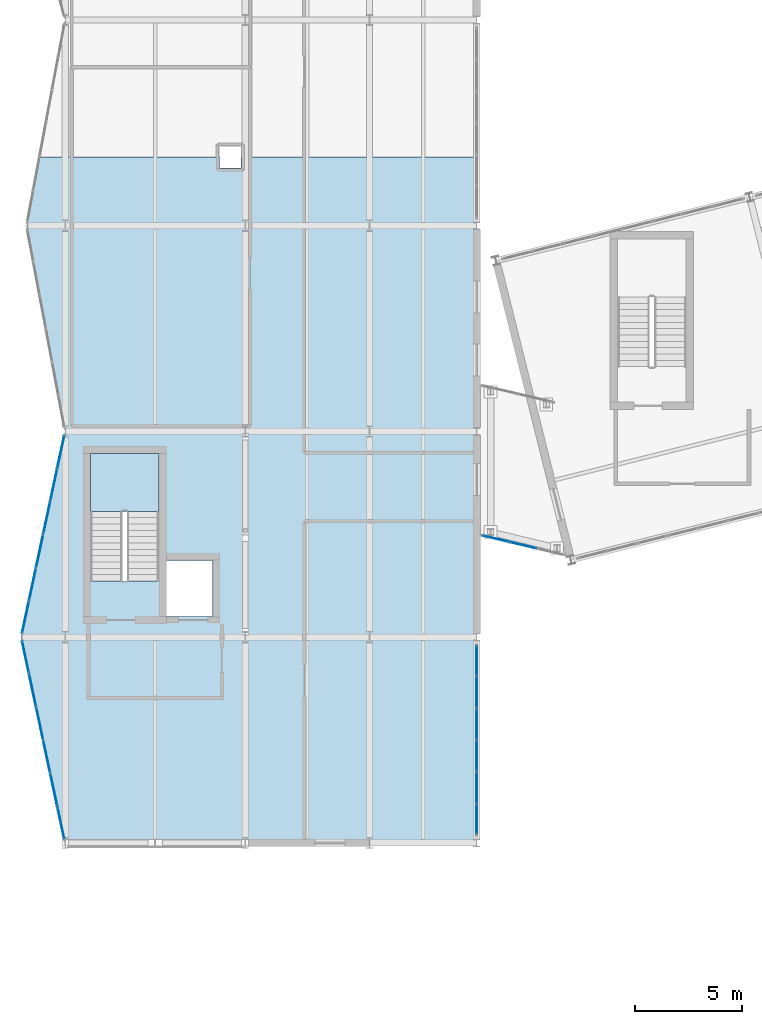
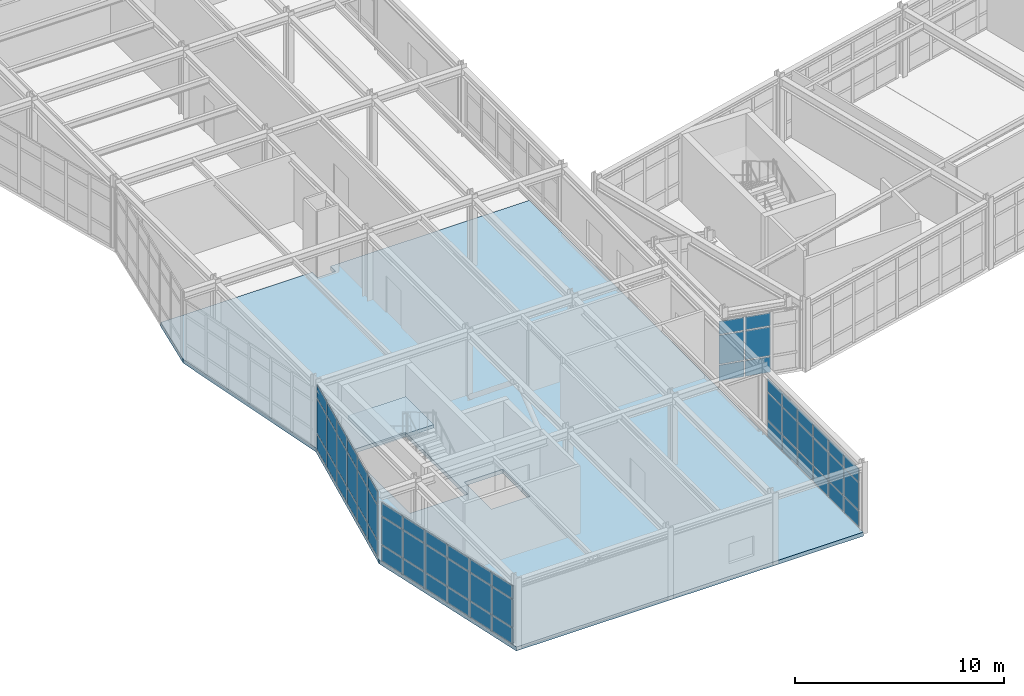
# One storey, part 44 of 76: 60 plates, 2 slabs, 5 elements without a shape of their own.
"""IFC4 building model written with IfcOpenShell, lengths in metres."""

import ifcopenshell
import ifcopenshell.guid

model = None  # the IFC model being written
_history = None  # IfcOwnerHistory: only IFC2X3 demands one
_inside = {}  # id of a spatial element -> (the spatial element, [elements in it])
_under = {}  # id of a project, library or spatial element -> (it, [spatial elements below it])
_declared = {}  # id of a project -> (the project, [libraries it declares])
_typed = {}  # id of a type object -> (the type object, [elements of that type])
_made_of = {}  # id of a material, layer set ... -> (it, [elements and type objects made of it])


def new_model(schema):
    """Start an empty IFC model of exactly this schema.

    Asked for "IFC4X3", IfcOpenShell would pick the latest addendum, in which some entities
    have other attributes; the version numbers below select the first issue.
    IFC2X3 requires an IfcOwnerHistory on every rooted entity: one is made here for all.
    """
    global model, _history
    if schema == "IFC4X3":
        model = ifcopenshell.file(schema_version=(4, 3, 0, 0))
    else:
        model = ifcopenshell.file(schema=schema)
    _inside.clear()
    _under.clear()
    _declared.clear()
    _typed.clear()
    _made_of.clear()
    _history = None
    if model.schema == "IFC2X3":
        org = make("IfcOrganization", Name="unknown")
        user = make(
            "IfcPersonAndOrganization",
            ThePerson=make("IfcPerson", FamilyName="unknown"),
            TheOrganization=org,
        )
        app = make(
            "IfcApplication",
            ApplicationDeveloper=org,
            Version="unknown",
            ApplicationFullName="unknown",
            ApplicationIdentifier="unknown",
        )
        _history = make(
            "IfcOwnerHistory",
            OwningUser=user,
            OwningApplication=app,
            ChangeAction="ADDED",
            CreationDate=0,
        )
    return model


def make(cls, **values):
    """One entity of the class cls with the attributes given. An attribute that is None is left unset."""
    return model.create_entity(
        cls, **{name: value for name, value in values.items() if value is not None}
    )


def rooted(cls, **values):
    """An entity with a GlobalId (a new one), such as an element, a storey or a relation."""
    return make(cls, GlobalId=ifcopenshell.guid.new(), OwnerHistory=_history, **values)


def si_unit(unit_type, name, prefix=None):
    """IfcSIUnit, for example si_unit("LENGTHUNIT", "METRE", prefix="MILLI")."""
    return make("IfcSIUnit", UnitType=unit_type, Prefix=prefix, Name=name)


def assignment(units):
    """IfcUnitAssignment: the units of a project."""
    return None if units is None else make("IfcUnitAssignment", Units=units)


def point(xyz):
    """IfcCartesianPoint."""
    return None if xyz is None else make("IfcCartesianPoint", Coordinates=xyz)


def direction(xyz):
    """IfcDirection."""
    return None if xyz is None else make("IfcDirection", DirectionRatios=xyz)


def frame(location, z_axis=None, x_axis=None):
    """IfcAxis2Placement3D, a coordinate frame: its origin and axes. An axis left out is left unset."""
    return make(
        "IfcAxis2Placement3D",
        Location=point(location),
        Axis=direction(z_axis),
        RefDirection=direction(x_axis),
    )


def frame_2d(location, x_axis=None):
    """IfcAxis2Placement2D, a coordinate frame in the plane: its origin and x axis."""
    return make(
        "IfcAxis2Placement2D", Location=point(location), RefDirection=direction(x_axis)
    )


def origin():
    """The frame at (0, 0, 0) with its axes left unset."""
    return frame((0.0, 0.0, 0.0))


def origin_2d():
    """The frame at (0, 0) in the plane with its x axis left unset."""
    return frame_2d((0.0, 0.0))


def place(relative_to, where):
    """IfcLocalPlacement: puts the frame where relative to a parent placement (None: the world)."""
    return make(
        "IfcLocalPlacement", PlacementRelTo=relative_to, RelativePlacement=where
    )


def context(
    kind, dimensions, precision=None, world=None, true_north=None, identifier=None
):
    """IfcGeometricRepresentationContext, for example the 3D "Model" context."""
    return make(
        "IfcGeometricRepresentationContext",
        ContextIdentifier=identifier,
        ContextType=kind,
        CoordinateSpaceDimension=dimensions,
        Precision=precision,
        WorldCoordinateSystem=world,
        TrueNorth=true_north,
    )


def subcontext(parent, identifier, kind, view, scale=None):
    """IfcGeometricRepresentationSubContext, for example "Body" below "Model"."""
    return make(
        "IfcGeometricRepresentationSubContext",
        ContextIdentifier=identifier,
        ContextType=kind,
        ParentContext=parent,
        TargetScale=scale,
        TargetView=view,
    )


def project(units=None, contexts=None):
    """IfcProject with its units and contexts."""
    return rooted(
        "IfcProject",
        Name="project",
        RepresentationContexts=contexts,
        UnitsInContext=assignment(units),
    )


def spatial(cls, under=None, at=None, **own):
    """A site, building, storey or space (cls), placed at a placement, below another one or the project."""
    s = rooted(cls, ObjectPlacement=at, **own)
    if under is not None:
        _under.setdefault(under.id(), (under, []))[1].append(s)
    return s


def polyline(points):
    """IfcPolyline through the points."""
    return make("IfcPolyline", Points=[point(p) for p in points])


def profile(cls, at=None, kind="AREA", **sizes):
    """A parametric profile (cls). Its sizes go by their IFC names, for example OverallWidth=200.0."""
    return make(cls, ProfileType=kind, Position=at, **sizes)


def rectangle(**sizes):
    """IfcRectangleProfileDef."""
    return profile("IfcRectangleProfileDef", **sizes)


def outline(outer, holes=None, kind="AREA"):
    """IfcArbitraryClosedProfileDef: a profile drawn as a closed curve; with holes, ...WithVoids."""
    if holes is None:
        return make("IfcArbitraryClosedProfileDef", ProfileType=kind, OuterCurve=outer)
    return make(
        "IfcArbitraryProfileDefWithVoids",
        ProfileType=kind,
        OuterCurve=outer,
        InnerCurves=holes,
    )


def extrude(swept, where, along, depth):
    """IfcExtrudedAreaSolid: the profile swept, set in the frame where, extruded along a direction by depth."""
    return make(
        "IfcExtrudedAreaSolid",
        SweptArea=swept,
        Position=where,
        ExtrudedDirection=direction(along),
        Depth=depth,
    )


def shape(context_of_items, identifier, shape_type, items):
    """IfcShapeRepresentation: the items that make up one representation, for example the "Body"."""
    return make(
        "IfcShapeRepresentation",
        ContextOfItems=context_of_items,
        RepresentationIdentifier=identifier,
        RepresentationType=shape_type,
        Items=items,
    )


def material(Name=None, Category=None):
    """IfcMaterial."""
    return make("IfcMaterial", Name=Name, Category=Category)


def layer(
    of_material, thickness, ventilated=None, Name=None, Category=None, Priority=None
):
    """IfcMaterialLayer: one layer of a wall or slab, of a material (None: an air gap)."""
    return make(
        "IfcMaterialLayer",
        Material=of_material,
        LayerThickness=thickness,
        IsVentilated=ventilated,
        Name=Name,
        Category=Category,
        Priority=Priority,
    )


def layer_set(layers, Name=None):
    """IfcMaterialLayerSet."""
    return make("IfcMaterialLayerSet", MaterialLayers=layers, LayerSetName=Name)


def made_of(thing, what):
    """Note that an element or type object is made of a material, layer set ...; save() writes the relation."""
    if what is not None:
        _made_of.setdefault(what.id(), (what, []))[1].append(thing)
    return thing


def type_object(cls, material=None, **own):
    """A type object (cls), such as IfcWallType, which elements share."""
    return made_of(rooted(cls, **own), material)


def element(
    cls,
    number,
    at=None,
    inside=None,
    cuts=None,
    type_object=None,
    material=None,
    context=None,
    identifier="Body",
    shape_type=None,
    held_by="IfcProductDefinitionShape",
    body=None,
    shapes=None,
    **own,
):
    """One element of the class cls, such as IfcWall. Its Tag is "e" and its number.

    at: its placement. inside: the storey or other place that contains it. cuts: it is an
    opening in that element (IfcRelVoidsElement). A single representation is given by context,
    identifier, shape_type and body (its items); several are given by shapes. held_by: the class
    of the entity that holds the representations. save() writes the other relations.
    """
    e = rooted(cls, Tag="e%d" % number, ObjectPlacement=at, **own)
    if body is not None:
        shapes = [shape(context, identifier, shape_type, body)]
    if shapes is not None:
        e.Representation = make(held_by, Representations=shapes)
    if inside is not None:
        _inside.setdefault(inside.id(), (inside, []))[1].append(e)
    if cuts is not None:
        rooted(
            "IfcRelVoidsElement", RelatingBuildingElement=cuts, RelatedOpeningElement=e
        )
    if type_object is not None:
        _typed.setdefault(type_object.id(), (type_object, []))[1].append(e)
    return made_of(e, material)


def aggregate(whole, parts):
    """IfcRelAggregates: a whole, such as a stair, and the parts it consists of."""
    return rooted("IfcRelAggregates", RelatingObject=whole, RelatedObjects=parts)


def save(model, path):
    """Write the relations noted so far, then the file.

    IfcRelAggregates (storeys below a building ...), IfcRelContainedInSpatialStructure (elements
    in a storey), IfcRelDefinesByType, IfcRelAssociatesMaterial and IfcRelDeclares: one each for
    every whole, place, type object, material and project.
    """
    for whole, parts in _under.values():
        aggregate(whole, parts)
    for where, things in _inside.values():
        rooted(
            "IfcRelContainedInSpatialStructure",
            RelatedElements=things,
            RelatingStructure=where,
        )
    for kind, things in _typed.values():
        rooted("IfcRelDefinesByType", RelatedObjects=things, RelatingType=kind)
    for what, things in _made_of.values():
        rooted("IfcRelAssociatesMaterial", RelatedObjects=things, RelatingMaterial=what)
    for by, libraries in _declared.values():
        rooted("IfcRelDeclares", RelatingContext=by, RelatedDefinitions=libraries)
    model.write(path)


model = new_model("IFC4")

# Units and contexts
model_context = context("Model", 3, precision=1e-05, world=origin(), true_north=direction((0.0, 1.0)))
body_context = subcontext(model_context, "Body", "Model", "MODEL_VIEW")
ifc_project = project(units=[si_unit("LENGTHUNIT", "METRE"), si_unit("AREAUNIT", "SQUARE_METRE"), si_unit("VOLUMEUNIT", "CUBIC_METRE"), si_unit("PLANEANGLEUNIT", "RADIAN"), si_unit("MASSUNIT", "GRAM", prefix="KILO")], contexts=[model_context])

# Site, building, storey
site_placement = place(None, origin())
site = spatial("IfcSite", under=ifc_project, at=site_placement, CompositionType="ELEMENT")
building_placement = place(site_placement, origin())
building = spatial("IfcBuilding", under=site, at=building_placement, Name="Nordkorset Police Headquarters", CompositionType="ELEMENT")
storey_placement = place(building_placement, frame((0.0, 0.0, 13.64990234375)))
storey = spatial("IfcBuildingStorey", under=building, at=storey_placement, Name="L03", CompositionType="ELEMENT", Elevation=13.64990234375)

# Curtain wall, plates
ifc_material_1 = material(Name="Aluminium alloy AW-6060", Category="aluminium")
ifc_layer_1 = layer(ifc_material_1, 0.179931640625, Name="Aluminium alloy AW-6060")
ifc_layer_set_1 = layer_set([ifc_layer_1], Name="Aluminium alloy AW-6060")
curtain_wall_type_1 = type_object("IfcCurtainWallType", Name="CW_Unit_954x352", PredefinedType="USERDEFINED", material=ifc_layer_set_1)
curtain_wall_1_placement = place(storey_placement, origin())
curtain_wall_1 = element("IfcCurtainWall", 1, at=curtain_wall_1_placement, inside=storey, type_object=curtain_wall_type_1, Name="Unitised Curtain Wall L03 V3W-0", ObjectType="UNITISED CURTAIN WALL", PredefinedType="USERDEFINED")
ifc_material_2 = material(Name="Low-iron triple glazing", Category="glass")
ifc_layer_2 = layer(ifc_material_2, 0.035888671875, Name="Low-iron triple glazing")
ifc_layer_set_2 = layer_set([ifc_layer_2], Name="Low-iron triple glazing")
plate_type = type_object("IfcPlateType", Name="CW_Panel_TripleGlazing_36", PredefinedType="CURTAIN_PANEL", material=ifc_layer_set_2)
plate_1_placement = place(storey_placement, frame((-0.198486328125, 29.72998046875, 0.06494140625), z_axis=(0.0, 0.0, 1.0), x_axis=(-0.208832534289, 0.977951416289, 0.0)))
plate_1 = element("IfcPlate", 2, at=plate_1_placement, type_object=plate_type, Name="CW-105 panel 1.1", PredefinedType="CURTAIN_PANEL", context=body_context, shape_type="SweptSolid", body=[
    extrude(rectangle(XDim=1.491943359375, YDim=0.035888671875, at=origin_2d()), origin(), (0.0, 0.0, 1.0), 0.902587890625),
])
plate_2_placement = place(storey_placement, frame((-0.198486328125, 29.72998046875, 1.03271484375), z_axis=(0.0, 0.0, 1.0), x_axis=(-0.208832534289, 0.977951416289, 0.0)))
plate_2 = element("IfcPlate", 3, at=plate_2_placement, type_object=plate_type, Name="CW-105 panel 1.2", PredefinedType="CURTAIN_PANEL", context=body_context, shape_type="SweptSolid", body=[
    extrude(rectangle(XDim=1.491943359375, YDim=0.035888671875, at=origin_2d()), origin(), (0.0, 0.0, 1.0), 1.60498046875),
])
plate_3_placement = place(storey_placement, frame((-0.198486328125, 29.72998046875, 2.70263671875), z_axis=(0.0, 0.0, 1.0), x_axis=(-0.208832534289, 0.977951416289, 0.0)))
plate_3 = element("IfcPlate", 4, at=plate_3_placement, type_object=plate_type, Name="CW-105 panel 1.3", PredefinedType="CURTAIN_PANEL", context=body_context, shape_type="SweptSolid", body=[
    extrude(rectangle(XDim=1.491943359375, YDim=0.035888671875, at=origin_2d()), origin(), (0.0, 0.0, 1.0), 0.75244140625),
])
plate_4_placement = place(storey_placement, frame((-0.527099609375, 31.2685546875, 0.06494140625), z_axis=(0.0, 0.0, 1.0), x_axis=(-0.208832534289, 0.977951416289, 0.0)))
plate_4 = element("IfcPlate", 5, at=plate_4_placement, type_object=plate_type, Name="CW-105 panel 2.1", PredefinedType="CURTAIN_PANEL", context=body_context, shape_type="SweptSolid", body=[
    extrude(rectangle(XDim=1.5244140625, YDim=0.035888671875, at=origin_2d()), origin(), (0.0, 0.0, 1.0), 0.902587890625),
])
plate_5_placement = place(storey_placement, frame((-0.527099609375, 31.2685546875, 1.03271484375), z_axis=(0.0, 0.0, 1.0), x_axis=(-0.208832534289, 0.977951416289, 0.0)))
plate_5 = element("IfcPlate", 6, at=plate_5_placement, type_object=plate_type, Name="CW-105 panel 2.2", PredefinedType="CURTAIN_PANEL", context=body_context, shape_type="SweptSolid", body=[
    extrude(rectangle(XDim=1.5244140625, YDim=0.035888671875, at=origin_2d()), origin(), (0.0, 0.0, 1.0), 1.60498046875),
])
plate_6_placement = place(storey_placement, frame((-0.527099609375, 31.2685546875, 2.70263671875), z_axis=(0.0, 0.0, 1.0), x_axis=(-0.208832534289, 0.977951416289, 0.0)))
plate_6 = element("IfcPlate", 7, at=plate_6_placement, type_object=plate_type, Name="CW-105 panel 2.3", PredefinedType="CURTAIN_PANEL", context=body_context, shape_type="SweptSolid", body=[
    extrude(rectangle(XDim=1.5244140625, YDim=0.035888671875, at=origin_2d()), origin(), (0.0, 0.0, 1.0), 0.75244140625),
])
plate_7_placement = place(storey_placement, frame((-0.859130859375, 32.82275390625, 0.06494140625), z_axis=(0.0, 0.0, 1.0), x_axis=(-0.208832534289, 0.977951416289, 0.0)))
plate_7 = element("IfcPlate", 8, at=plate_7_placement, type_object=plate_type, Name="CW-105 panel 3.1", PredefinedType="CURTAIN_PANEL", context=body_context, shape_type="SweptSolid", body=[
    extrude(rectangle(XDim=1.5244140625, YDim=0.035888671875, at=origin_2d()), origin(), (0.0, 0.0, 1.0), 0.902587890625),
])
plate_8_placement = place(storey_placement, frame((-0.859130859375, 32.82275390625, 1.03271484375), z_axis=(0.0, 0.0, 1.0), x_axis=(-0.208832534289, 0.977951416289, 0.0)))
plate_8 = element("IfcPlate", 9, at=plate_8_placement, type_object=plate_type, Name="CW-105 panel 3.2", PredefinedType="CURTAIN_PANEL", context=body_context, shape_type="SweptSolid", body=[
    extrude(rectangle(XDim=1.5244140625, YDim=0.035888671875, at=origin_2d()), origin(), (0.0, 0.0, 1.0), 1.60498046875),
])
plate_9_placement = place(storey_placement, frame((-0.859130859375, 32.82275390625, 2.70263671875), z_axis=(0.0, 0.0, 1.0), x_axis=(-0.208832534289, 0.977951416289, 0.0)))
plate_9 = element("IfcPlate", 10, at=plate_9_placement, type_object=plate_type, Name="CW-105 panel 3.3", PredefinedType="CURTAIN_PANEL", context=body_context, shape_type="SweptSolid", body=[
    extrude(rectangle(XDim=1.5244140625, YDim=0.035888671875, at=origin_2d()), origin(), (0.0, 0.0, 1.0), 0.75244140625),
])
plate_10_placement = place(storey_placement, frame((-1.19091796875, 34.377197265625, 0.06494140625), z_axis=(0.0, 0.0, 1.0), x_axis=(-0.208832534289, 0.977951416289, 0.0)))
plate_10 = element("IfcPlate", 11, at=plate_10_placement, type_object=plate_type, Name="CW-105 panel 4.1", PredefinedType="CURTAIN_PANEL", context=body_context, shape_type="SweptSolid", body=[
    extrude(rectangle(XDim=1.5244140625, YDim=0.035888671875, at=origin_2d()), origin(), (0.0, 0.0, 1.0), 0.902587890625),
])
plate_11_placement = place(storey_placement, frame((-1.19091796875, 34.377197265625, 1.03271484375), z_axis=(0.0, 0.0, 1.0), x_axis=(-0.208832534289, 0.977951416289, 0.0)))
plate_11 = element("IfcPlate", 12, at=plate_11_placement, type_object=plate_type, Name="CW-105 panel 4.2", PredefinedType="CURTAIN_PANEL", context=body_context, shape_type="SweptSolid", body=[
    extrude(rectangle(XDim=1.5244140625, YDim=0.035888671875, at=origin_2d()), origin(), (0.0, 0.0, 1.0), 1.60498046875),
])
plate_12_placement = place(storey_placement, frame((-1.19091796875, 34.377197265625, 2.70263671875), z_axis=(0.0, 0.0, 1.0), x_axis=(-0.208832534289, 0.977951416289, 0.0)))
plate_12 = element("IfcPlate", 13, at=plate_12_placement, type_object=plate_type, Name="CW-105 panel 4.3", PredefinedType="CURTAIN_PANEL", context=body_context, shape_type="SweptSolid", body=[
    extrude(rectangle(XDim=1.5244140625, YDim=0.035888671875, at=origin_2d()), origin(), (0.0, 0.0, 1.0), 0.75244140625),
])
plate_13_placement = place(storey_placement, frame((-1.52294921875, 35.931640625, 0.06494140625), z_axis=(0.0, 0.0, 1.0), x_axis=(-0.208832534289, 0.977951416289, 0.0)))
plate_13 = element("IfcPlate", 14, at=plate_13_placement, type_object=plate_type, Name="CW-105 panel 5.1", PredefinedType="CURTAIN_PANEL", context=body_context, shape_type="SweptSolid", body=[
    extrude(rectangle(XDim=1.5244140625, YDim=0.035888671875, at=origin_2d()), origin(), (0.0, 0.0, 1.0), 0.902587890625),
])
plate_14_placement = place(storey_placement, frame((-1.52294921875, 35.931640625, 1.03271484375), z_axis=(0.0, 0.0, 1.0), x_axis=(-0.208832534289, 0.977951416289, 0.0)))
plate_14 = element("IfcPlate", 15, at=plate_14_placement, type_object=plate_type, Name="CW-105 panel 5.2", PredefinedType="CURTAIN_PANEL", context=body_context, shape_type="SweptSolid", body=[
    extrude(rectangle(XDim=1.5244140625, YDim=0.035888671875, at=origin_2d()), origin(), (0.0, 0.0, 1.0), 1.60498046875),
])
plate_15_placement = place(storey_placement, frame((-1.52294921875, 35.931640625, 2.70263671875), z_axis=(0.0, 0.0, 1.0), x_axis=(-0.208832534289, 0.977951416289, 0.0)))
plate_15 = element("IfcPlate", 16, at=plate_15_placement, type_object=plate_type, Name="CW-105 panel 5.3", PredefinedType="CURTAIN_PANEL", context=body_context, shape_type="SweptSolid", body=[
    extrude(rectangle(XDim=1.5244140625, YDim=0.035888671875, at=origin_2d()), origin(), (0.0, 0.0, 1.0), 0.75244140625),
])
plate_16_placement = place(storey_placement, frame((-1.851318359375, 37.469970703125, 0.06494140625), z_axis=(0.0, 0.0, 1.0), x_axis=(-0.208832534289, 0.977951416289, 0.0)))
plate_16 = element("IfcPlate", 17, at=plate_16_placement, type_object=plate_type, Name="CW-105 panel 6.1", PredefinedType="CURTAIN_PANEL", context=body_context, shape_type="SweptSolid", body=[
    extrude(rectangle(XDim=1.491943359375, YDim=0.035888671875, at=origin_2d()), origin(), (0.0, 0.0, 1.0), 0.902587890625),
])
plate_17_placement = place(storey_placement, frame((-1.851318359375, 37.469970703125, 1.03271484375), z_axis=(0.0, 0.0, 1.0), x_axis=(-0.208832534289, 0.977951416289, 0.0)))
plate_17 = element("IfcPlate", 18, at=plate_17_placement, type_object=plate_type, Name="CW-105 panel 6.2", PredefinedType="CURTAIN_PANEL", context=body_context, shape_type="SweptSolid", body=[
    extrude(rectangle(XDim=1.491943359375, YDim=0.035888671875, at=origin_2d()), origin(), (0.0, 0.0, 1.0), 1.60498046875),
])
plate_18_placement = place(storey_placement, frame((-1.851318359375, 37.469970703125, 2.70263671875), z_axis=(0.0, 0.0, 1.0), x_axis=(-0.208832534289, 0.977951416289, 0.0)))
plate_18 = element("IfcPlate", 19, at=plate_18_placement, type_object=plate_type, Name="CW-105 panel 6.3", PredefinedType="CURTAIN_PANEL", context=body_context, shape_type="SweptSolid", body=[
    extrude(rectangle(XDim=1.491943359375, YDim=0.035888671875, at=origin_2d()), origin(), (0.0, 0.0, 1.0), 0.75244140625),
])
aggregate(curtain_wall_1, [plate_1, plate_2, plate_3, plate_4, plate_5, plate_6, plate_7, plate_8, plate_9, plate_10, plate_11, plate_12, plate_13, plate_14, plate_15, plate_16, plate_17, plate_18])

ifc_material_3 = material(Name="Aluminium alloy AW-6060", Category="aluminium")
ifc_layer_3 = layer(ifc_material_3, 0.179931640625, Name="Aluminium alloy AW-6060")
ifc_layer_set_3 = layer_set([ifc_layer_3], Name="Aluminium alloy AW-6060")
curtain_wall_type_2 = type_object("IfcCurtainWallType", Name="CW_Unit_888x350", PredefinedType="USERDEFINED", material=ifc_layer_set_3)
curtain_wall_2_placement = place(storey_placement, origin())
curtain_wall_2 = element("IfcCurtainWall", 20, at=curtain_wall_2_placement, inside=storey, type_object=curtain_wall_type_2, Name="Unitised Curtain Wall L03 V3E-0", ObjectType="UNITISED CURTAIN WALL", PredefinedType="USERDEFINED")
plate_19_placement = place(storey_placement, frame((19.199951171875, 29.916259765625, 0.06494140625), z_axis=(0.0, 0.0, 1.0), x_axis=(0.0, 1.0, 0.0)))
plate_19 = element("IfcPlate", 21, at=plate_19_placement, type_object=plate_type, Name="CW-95 panel 1.1", PredefinedType="CURTAIN_PANEL", context=body_context, shape_type="SweptSolid", body=[
    extrude(rectangle(XDim=1.382568359375, YDim=0.035888671875, at=origin_2d()), origin(), (0.0, 0.0, 1.0), 0.902587890625),
])
plate_20_placement = place(storey_placement, frame((19.199951171875, 29.916259765625, 1.03271484375), z_axis=(0.0, 0.0, 1.0), x_axis=(0.0, 1.0, 0.0)))
plate_20 = element("IfcPlate", 22, at=plate_20_placement, type_object=plate_type, Name="CW-95 panel 1.2", PredefinedType="CURTAIN_PANEL", context=body_context, shape_type="SweptSolid", body=[
    extrude(rectangle(XDim=1.382568359375, YDim=0.035888671875, at=origin_2d()), origin(), (0.0, 0.0, 1.0), 1.590087890625),
])
plate_21_placement = place(storey_placement, frame((19.199951171875, 29.916259765625, 2.687744140625), z_axis=(0.0, 0.0, 1.0), x_axis=(0.0, 1.0, 0.0)))
plate_21 = element("IfcPlate", 23, at=plate_21_placement, type_object=plate_type, Name="CW-95 panel 1.3", PredefinedType="CURTAIN_PANEL", context=body_context, shape_type="SweptSolid", body=[
    extrude(rectangle(XDim=1.382568359375, YDim=0.035888671875, at=origin_2d()), origin(), (0.0, 0.0, 1.0), 0.75244140625),
])
plate_22_placement = place(storey_placement, frame((19.199951171875, 31.3798828125, 0.06494140625), z_axis=(0.0, 0.0, 1.0), x_axis=(0.0, 1.0, 0.0)))
plate_22 = element("IfcPlate", 24, at=plate_22_placement, type_object=plate_type, Name="CW-95 panel 2.1", PredefinedType="CURTAIN_PANEL", context=body_context, shape_type="SweptSolid", body=[
    extrude(rectangle(XDim=1.4150390625, YDim=0.035888671875, at=origin_2d()), origin(), (0.0, 0.0, 1.0), 0.902587890625),
])
plate_23_placement = place(storey_placement, frame((19.199951171875, 31.3798828125, 1.03271484375), z_axis=(0.0, 0.0, 1.0), x_axis=(0.0, 1.0, 0.0)))
plate_23 = element("IfcPlate", 25, at=plate_23_placement, type_object=plate_type, Name="CW-95 panel 2.2", PredefinedType="CURTAIN_PANEL", context=body_context, shape_type="SweptSolid", body=[
    extrude(rectangle(XDim=1.4150390625, YDim=0.035888671875, at=origin_2d()), origin(), (0.0, 0.0, 1.0), 1.590087890625),
])
plate_24_placement = place(storey_placement, frame((19.199951171875, 31.3798828125, 2.687744140625), z_axis=(0.0, 0.0, 1.0), x_axis=(0.0, 1.0, 0.0)))
plate_24 = element("IfcPlate", 26, at=plate_24_placement, type_object=plate_type, Name="CW-95 panel 2.3", PredefinedType="CURTAIN_PANEL", context=body_context, shape_type="SweptSolid", body=[
    extrude(rectangle(XDim=1.4150390625, YDim=0.035888671875, at=origin_2d()), origin(), (0.0, 0.0, 1.0), 0.75244140625),
])
plate_25_placement = place(storey_placement, frame((19.199951171875, 32.860107421875, 0.06494140625), z_axis=(0.0, 0.0, 1.0), x_axis=(0.0, 1.0, 0.0)))
plate_25 = element("IfcPlate", 27, at=plate_25_placement, type_object=plate_type, Name="CW-95 panel 3.1", PredefinedType="CURTAIN_PANEL", context=body_context, shape_type="SweptSolid", body=[
    extrude(rectangle(XDim=1.4150390625, YDim=0.035888671875, at=origin_2d()), origin(), (0.0, 0.0, 1.0), 0.902587890625),
])
plate_26_placement = place(storey_placement, frame((19.199951171875, 32.860107421875, 1.03271484375), z_axis=(0.0, 0.0, 1.0), x_axis=(0.0, 1.0, 0.0)))
plate_26 = element("IfcPlate", 28, at=plate_26_placement, type_object=plate_type, Name="CW-95 panel 3.2", PredefinedType="CURTAIN_PANEL", context=body_context, shape_type="SweptSolid", body=[
    extrude(rectangle(XDim=1.4150390625, YDim=0.035888671875, at=origin_2d()), origin(), (0.0, 0.0, 1.0), 1.590087890625),
])
plate_27_placement = place(storey_placement, frame((19.199951171875, 32.860107421875, 2.687744140625), z_axis=(0.0, 0.0, 1.0), x_axis=(0.0, 1.0, 0.0)))
plate_27 = element("IfcPlate", 29, at=plate_27_placement, type_object=plate_type, Name="CW-95 panel 3.3", PredefinedType="CURTAIN_PANEL", context=body_context, shape_type="SweptSolid", body=[
    extrude(rectangle(XDim=1.4150390625, YDim=0.035888671875, at=origin_2d()), origin(), (0.0, 0.0, 1.0), 0.75244140625),
])
plate_28_placement = place(storey_placement, frame((19.199951171875, 34.340087890625, 0.06494140625), z_axis=(0.0, 0.0, 1.0), x_axis=(0.0, 1.0, 0.0)))
plate_28 = element("IfcPlate", 30, at=plate_28_placement, type_object=plate_type, Name="CW-95 panel 4.1", PredefinedType="CURTAIN_PANEL", context=body_context, shape_type="SweptSolid", body=[
    extrude(rectangle(XDim=1.4150390625, YDim=0.035888671875, at=origin_2d()), origin(), (0.0, 0.0, 1.0), 0.902587890625),
])
plate_29_placement = place(storey_placement, frame((19.199951171875, 34.340087890625, 1.03271484375), z_axis=(0.0, 0.0, 1.0), x_axis=(0.0, 1.0, 0.0)))
plate_29 = element("IfcPlate", 31, at=plate_29_placement, type_object=plate_type, Name="CW-95 panel 4.2", PredefinedType="CURTAIN_PANEL", context=body_context, shape_type="SweptSolid", body=[
    extrude(rectangle(XDim=1.4150390625, YDim=0.035888671875, at=origin_2d()), origin(), (0.0, 0.0, 1.0), 1.590087890625),
])
plate_30_placement = place(storey_placement, frame((19.199951171875, 34.340087890625, 2.687744140625), z_axis=(0.0, 0.0, 1.0), x_axis=(0.0, 1.0, 0.0)))
plate_30 = element("IfcPlate", 32, at=plate_30_placement, type_object=plate_type, Name="CW-95 panel 4.3", PredefinedType="CURTAIN_PANEL", context=body_context, shape_type="SweptSolid", body=[
    extrude(rectangle(XDim=1.4150390625, YDim=0.035888671875, at=origin_2d()), origin(), (0.0, 0.0, 1.0), 0.75244140625),
])
plate_31_placement = place(storey_placement, frame((19.199951171875, 35.820068359375, 0.06494140625), z_axis=(0.0, 0.0, 1.0), x_axis=(0.0, 1.0, 0.0)))
plate_31 = element("IfcPlate", 33, at=plate_31_placement, type_object=plate_type, Name="CW-95 panel 5.1", PredefinedType="CURTAIN_PANEL", context=body_context, shape_type="SweptSolid", body=[
    extrude(rectangle(XDim=1.4150390625, YDim=0.035888671875, at=origin_2d()), origin(), (0.0, 0.0, 1.0), 0.902587890625),
])
plate_32_placement = place(storey_placement, frame((19.199951171875, 35.820068359375, 1.03271484375), z_axis=(0.0, 0.0, 1.0), x_axis=(0.0, 1.0, 0.0)))
plate_32 = element("IfcPlate", 34, at=plate_32_placement, type_object=plate_type, Name="CW-95 panel 5.2", PredefinedType="CURTAIN_PANEL", context=body_context, shape_type="SweptSolid", body=[
    extrude(rectangle(XDim=1.4150390625, YDim=0.035888671875, at=origin_2d()), origin(), (0.0, 0.0, 1.0), 1.590087890625),
])
plate_33_placement = place(storey_placement, frame((19.199951171875, 35.820068359375, 2.687744140625), z_axis=(0.0, 0.0, 1.0), x_axis=(0.0, 1.0, 0.0)))
plate_33 = element("IfcPlate", 35, at=plate_33_placement, type_object=plate_type, Name="CW-95 panel 5.3", PredefinedType="CURTAIN_PANEL", context=body_context, shape_type="SweptSolid", body=[
    extrude(rectangle(XDim=1.4150390625, YDim=0.035888671875, at=origin_2d()), origin(), (0.0, 0.0, 1.0), 0.75244140625),
])
plate_34_placement = place(storey_placement, frame((19.199951171875, 37.28369140625, 0.06494140625), z_axis=(0.0, 0.0, 1.0), x_axis=(0.0, 1.0, 0.0)))
plate_34 = element("IfcPlate", 36, at=plate_34_placement, type_object=plate_type, Name="CW-95 panel 6.1", PredefinedType="CURTAIN_PANEL", context=body_context, shape_type="SweptSolid", body=[
    extrude(rectangle(XDim=1.382568359375, YDim=0.035888671875, at=origin_2d()), origin(), (0.0, 0.0, 1.0), 0.902587890625),
])
plate_35_placement = place(storey_placement, frame((19.199951171875, 37.28369140625, 1.03271484375), z_axis=(0.0, 0.0, 1.0), x_axis=(0.0, 1.0, 0.0)))
plate_35 = element("IfcPlate", 37, at=plate_35_placement, type_object=plate_type, Name="CW-95 panel 6.2", PredefinedType="CURTAIN_PANEL", context=body_context, shape_type="SweptSolid", body=[
    extrude(rectangle(XDim=1.382568359375, YDim=0.035888671875, at=origin_2d()), origin(), (0.0, 0.0, 1.0), 1.590087890625),
])
plate_36_placement = place(storey_placement, frame((19.199951171875, 37.28369140625, 2.687744140625), z_axis=(0.0, 0.0, 1.0), x_axis=(0.0, 1.0, 0.0)))
plate_36 = element("IfcPlate", 38, at=plate_36_placement, type_object=plate_type, Name="CW-95 panel 6.3", PredefinedType="CURTAIN_PANEL", context=body_context, shape_type="SweptSolid", body=[
    extrude(rectangle(XDim=1.382568359375, YDim=0.035888671875, at=origin_2d()), origin(), (0.0, 0.0, 1.0), 0.75244140625),
])
aggregate(curtain_wall_2, [plate_19, plate_20, plate_21, plate_22, plate_23, plate_24, plate_25, plate_26, plate_27, plate_28, plate_29, plate_30, plate_31, plate_32, plate_33, plate_34, plate_35, plate_36])

ifc_material_4 = material(Name="Aluminium alloy AW-6060", Category="aluminium")
ifc_layer_4 = layer(ifc_material_4, 0.179931640625, Name="Aluminium alloy AW-6060")
ifc_layer_set_4 = layer_set([ifc_layer_4], Name="Aluminium alloy AW-6060")
curtain_wall_type_3 = type_object("IfcCurtainWallType", Name="CW_Unit_954x392", PredefinedType="USERDEFINED", material=ifc_layer_set_4)
curtain_wall_3_placement = place(storey_placement, origin())
curtain_wall_3 = element("IfcCurtainWall", 39, at=curtain_wall_3_placement, inside=storey, type_object=curtain_wall_type_3, Name="Unitised Curtain Wall L03 V3W-1", ObjectType="UNITISED CURTAIN WALL", PredefinedType="USERDEFINED")
plate_37_placement = place(storey_placement, frame((-1.851318359375, 39.330078125, 0.06494140625), z_axis=(0.0, 0.0, 1.0), x_axis=(0.208832534289, 0.977951416289, 0.0)))
plate_37 = element("IfcPlate", 40, at=plate_37_placement, type_object=plate_type, Name="CW-20 panel 1.1", PredefinedType="CURTAIN_PANEL", context=body_context, shape_type="SweptSolid", body=[
    extrude(rectangle(XDim=1.491943359375, YDim=0.035888671875, at=origin_2d()), origin(), (0.0, 0.0, 1.0), 0.902587890625),
])
plate_38_placement = place(storey_placement, frame((-1.851318359375, 39.330078125, 1.03271484375), z_axis=(0.0, 0.0, 1.0), x_axis=(0.208832534289, 0.977951416289, 0.0)))
plate_38 = element("IfcPlate", 41, at=plate_38_placement, type_object=plate_type, Name="CW-20 panel 1.2", PredefinedType="CURTAIN_PANEL", context=body_context, shape_type="SweptSolid", body=[
    extrude(rectangle(XDim=1.491943359375, YDim=0.035888671875, at=origin_2d()), origin(), (0.0, 0.0, 1.0), 2.0048828125),
])
plate_39_placement = place(storey_placement, frame((-1.851318359375, 39.330078125, 3.1025390625), z_axis=(0.0, 0.0, 1.0), x_axis=(0.208832534289, 0.977951416289, 0.0)))
plate_39 = element("IfcPlate", 42, at=plate_39_placement, type_object=plate_type, Name="CW-20 panel 1.3", PredefinedType="CURTAIN_PANEL", context=body_context, shape_type="SweptSolid", body=[
    extrude(rectangle(XDim=1.491943359375, YDim=0.035888671875, at=origin_2d()), origin(), (0.0, 0.0, 1.0), 0.75244140625),
])
plate_40_placement = place(storey_placement, frame((-1.52294921875, 40.868408203125, 0.06494140625), z_axis=(0.0, 0.0, 1.0), x_axis=(0.208832534289, 0.977951416289, 0.0)))
plate_40 = element("IfcPlate", 43, at=plate_40_placement, type_object=plate_type, Name="CW-20 panel 2.1", PredefinedType="CURTAIN_PANEL", context=body_context, shape_type="SweptSolid", body=[
    extrude(rectangle(XDim=1.5244140625, YDim=0.035888671875, at=origin_2d()), origin(), (0.0, 0.0, 1.0), 0.902587890625),
])
plate_41_placement = place(storey_placement, frame((-1.52294921875, 40.868408203125, 1.03271484375), z_axis=(0.0, 0.0, 1.0), x_axis=(0.208832534289, 0.977951416289, 0.0)))
plate_41 = element("IfcPlate", 44, at=plate_41_placement, type_object=plate_type, Name="CW-20 panel 2.2", PredefinedType="CURTAIN_PANEL", context=body_context, shape_type="SweptSolid", body=[
    extrude(rectangle(XDim=1.5244140625, YDim=0.035888671875, at=origin_2d()), origin(), (0.0, 0.0, 1.0), 2.0048828125),
])
plate_42_placement = place(storey_placement, frame((-1.52294921875, 40.868408203125, 3.1025390625), z_axis=(0.0, 0.0, 1.0), x_axis=(0.208832534289, 0.977951416289, 0.0)))
plate_42 = element("IfcPlate", 45, at=plate_42_placement, type_object=plate_type, Name="CW-20 panel 2.3", PredefinedType="CURTAIN_PANEL", context=body_context, shape_type="SweptSolid", body=[
    extrude(rectangle(XDim=1.5244140625, YDim=0.035888671875, at=origin_2d()), origin(), (0.0, 0.0, 1.0), 0.75244140625),
])
plate_43_placement = place(storey_placement, frame((-1.19091796875, 42.4228515625, 0.06494140625), z_axis=(0.0, 0.0, 1.0), x_axis=(0.208832534289, 0.977951416289, 0.0)))
plate_43 = element("IfcPlate", 46, at=plate_43_placement, type_object=plate_type, Name="CW-20 panel 3.1", PredefinedType="CURTAIN_PANEL", context=body_context, shape_type="SweptSolid", body=[
    extrude(rectangle(XDim=1.5244140625, YDim=0.035888671875, at=origin_2d()), origin(), (0.0, 0.0, 1.0), 0.902587890625),
])
plate_44_placement = place(storey_placement, frame((-1.19091796875, 42.4228515625, 1.03271484375), z_axis=(0.0, 0.0, 1.0), x_axis=(0.208832534289, 0.977951416289, 0.0)))
plate_44 = element("IfcPlate", 47, at=plate_44_placement, type_object=plate_type, Name="CW-20 panel 3.2", PredefinedType="CURTAIN_PANEL", context=body_context, shape_type="SweptSolid", body=[
    extrude(rectangle(XDim=1.5244140625, YDim=0.035888671875, at=origin_2d()), origin(), (0.0, 0.0, 1.0), 2.0048828125),
])
plate_45_placement = place(storey_placement, frame((-1.19091796875, 42.4228515625, 3.1025390625), z_axis=(0.0, 0.0, 1.0), x_axis=(0.208832534289, 0.977951416289, 0.0)))
plate_45 = element("IfcPlate", 48, at=plate_45_placement, type_object=plate_type, Name="CW-20 panel 3.3", PredefinedType="CURTAIN_PANEL", context=body_context, shape_type="SweptSolid", body=[
    extrude(rectangle(XDim=1.5244140625, YDim=0.035888671875, at=origin_2d()), origin(), (0.0, 0.0, 1.0), 0.75244140625),
])
plate_46_placement = place(storey_placement, frame((-0.859130859375, 43.977294921875, 0.06494140625), z_axis=(0.0, 0.0, 1.0), x_axis=(0.208832534289, 0.977951416289, 0.0)))
plate_46 = element("IfcPlate", 49, at=plate_46_placement, type_object=plate_type, Name="CW-20 panel 4.1", PredefinedType="CURTAIN_PANEL", context=body_context, shape_type="SweptSolid", body=[
    extrude(rectangle(XDim=1.5244140625, YDim=0.035888671875, at=origin_2d()), origin(), (0.0, 0.0, 1.0), 0.902587890625),
])
plate_47_placement = place(storey_placement, frame((-0.859130859375, 43.977294921875, 1.03271484375), z_axis=(0.0, 0.0, 1.0), x_axis=(0.208832534289, 0.977951416289, 0.0)))
plate_47 = element("IfcPlate", 50, at=plate_47_placement, type_object=plate_type, Name="CW-20 panel 4.2", PredefinedType="CURTAIN_PANEL", context=body_context, shape_type="SweptSolid", body=[
    extrude(rectangle(XDim=1.5244140625, YDim=0.035888671875, at=origin_2d()), origin(), (0.0, 0.0, 1.0), 2.0048828125),
])
plate_48_placement = place(storey_placement, frame((-0.859130859375, 43.977294921875, 3.1025390625), z_axis=(0.0, 0.0, 1.0), x_axis=(0.208832534289, 0.977951416289, 0.0)))
plate_48 = element("IfcPlate", 51, at=plate_48_placement, type_object=plate_type, Name="CW-20 panel 4.3", PredefinedType="CURTAIN_PANEL", context=body_context, shape_type="SweptSolid", body=[
    extrude(rectangle(XDim=1.5244140625, YDim=0.035888671875, at=origin_2d()), origin(), (0.0, 0.0, 1.0), 0.75244140625),
])
plate_49_placement = place(storey_placement, frame((-0.527099609375, 45.531494140625, 0.06494140625), z_axis=(0.0, 0.0, 1.0), x_axis=(0.208832534289, 0.977951416289, 0.0)))
plate_49 = element("IfcPlate", 52, at=plate_49_placement, type_object=plate_type, Name="CW-20 panel 5.1", PredefinedType="CURTAIN_PANEL", context=body_context, shape_type="SweptSolid", body=[
    extrude(rectangle(XDim=1.5244140625, YDim=0.035888671875, at=origin_2d()), origin(), (0.0, 0.0, 1.0), 0.902587890625),
])
plate_50_placement = place(storey_placement, frame((-0.527099609375, 45.531494140625, 1.03271484375), z_axis=(0.0, 0.0, 1.0), x_axis=(0.208832534289, 0.977951416289, 0.0)))
plate_50 = element("IfcPlate", 53, at=plate_50_placement, type_object=plate_type, Name="CW-20 panel 5.2", PredefinedType="CURTAIN_PANEL", context=body_context, shape_type="SweptSolid", body=[
    extrude(rectangle(XDim=1.5244140625, YDim=0.035888671875, at=origin_2d()), origin(), (0.0, 0.0, 1.0), 2.0048828125),
])
plate_51_placement = place(storey_placement, frame((-0.527099609375, 45.531494140625, 3.1025390625), z_axis=(0.0, 0.0, 1.0), x_axis=(0.208832534289, 0.977951416289, 0.0)))
plate_51 = element("IfcPlate", 54, at=plate_51_placement, type_object=plate_type, Name="CW-20 panel 5.3", PredefinedType="CURTAIN_PANEL", context=body_context, shape_type="SweptSolid", body=[
    extrude(rectangle(XDim=1.5244140625, YDim=0.035888671875, at=origin_2d()), origin(), (0.0, 0.0, 1.0), 0.75244140625),
])
plate_52_placement = place(storey_placement, frame((-0.198486328125, 47.070068359375, 0.06494140625), z_axis=(0.0, 0.0, 1.0), x_axis=(0.208832534289, 0.977951416289, 0.0)))
plate_52 = element("IfcPlate", 55, at=plate_52_placement, type_object=plate_type, Name="CW-20 panel 6.1", PredefinedType="CURTAIN_PANEL", context=body_context, shape_type="SweptSolid", body=[
    extrude(rectangle(XDim=1.491943359375, YDim=0.035888671875, at=origin_2d()), origin(), (0.0, 0.0, 1.0), 0.902587890625),
])
plate_53_placement = place(storey_placement, frame((-0.198486328125, 47.070068359375, 1.03271484375), z_axis=(0.0, 0.0, 1.0), x_axis=(0.208832534289, 0.977951416289, 0.0)))
plate_53 = element("IfcPlate", 56, at=plate_53_placement, type_object=plate_type, Name="CW-20 panel 6.2", PredefinedType="CURTAIN_PANEL", context=body_context, shape_type="SweptSolid", body=[
    extrude(rectangle(XDim=1.491943359375, YDim=0.035888671875, at=origin_2d()), origin(), (0.0, 0.0, 1.0), 2.0048828125),
])
plate_54_placement = place(storey_placement, frame((-0.198486328125, 47.070068359375, 3.1025390625), z_axis=(0.0, 0.0, 1.0), x_axis=(0.208832534289, 0.977951416289, 0.0)))
plate_54 = element("IfcPlate", 57, at=plate_54_placement, type_object=plate_type, Name="CW-20 panel 6.3", PredefinedType="CURTAIN_PANEL", context=body_context, shape_type="SweptSolid", body=[
    extrude(rectangle(XDim=1.491943359375, YDim=0.035888671875, at=origin_2d()), origin(), (0.0, 0.0, 1.0), 0.75244140625),
])
aggregate(curtain_wall_3, [plate_37, plate_38, plate_39, plate_40, plate_41, plate_42, plate_43, plate_44, plate_45, plate_46, plate_47, plate_48, plate_49, plate_50, plate_51, plate_52, plate_53, plate_54])

ifc_material_5 = material(Name="Aluminium alloy AW-6060", Category="aluminium")
ifc_layer_5 = layer(ifc_material_5, 0.179931640625, Name="Aluminium alloy AW-6060")
ifc_layer_set_5 = layer_set([ifc_layer_5], Name="Aluminium alloy AW-6060")
curtain_wall_type_4 = type_object("IfcCurtainWallType", Name="CW_Unit_401x360", PredefinedType="USERDEFINED", material=ifc_layer_set_5)
curtain_wall_4_placement = place(storey_placement, origin())
curtain_wall_4 = element("IfcCurtainWall", 58, at=curtain_wall_4_placement, inside=storey, type_object=curtain_wall_type_4, Name="Unitised Curtain Wall L03 BRGW-S", ObjectType="UNITISED CURTAIN WALL", PredefinedType="USERDEFINED")
plate_55_placement = place(storey_placement, frame((20.0908203125, 42.990234375, 0.06494140625), z_axis=(0.0, 0.0, 1.0), x_axis=(0.972904739966, -0.231206329825, 0.0)))
plate_55 = element("IfcPlate", 59, at=plate_55_placement, type_object=plate_type, Name="CW-75 panel 1.1", PredefinedType="CURTAIN_PANEL", context=body_context, shape_type="SweptSolid", body=[
    extrude(rectangle(XDim=1.238525390625, YDim=0.035888671875, at=origin_2d()), origin(), (0.0, 0.0, 1.0), 0.902587890625),
])
plate_56_placement = place(storey_placement, frame((20.0908203125, 42.990234375, 1.03271484375), z_axis=(0.0, 0.0, 1.0), x_axis=(0.972904739966, -0.231206329825, 0.0)))
plate_56 = element("IfcPlate", 60, at=plate_56_placement, type_object=plate_type, Name="CW-75 panel 1.2", PredefinedType="CURTAIN_PANEL", context=body_context, shape_type="SweptSolid", body=[
    extrude(rectangle(XDim=1.238525390625, YDim=0.035888671875, at=origin_2d()), origin(), (0.0, 0.0, 1.0), 1.679931640625),
])
plate_57_placement = place(storey_placement, frame((20.0908203125, 42.990234375, 2.777587890625), z_axis=(0.0, 0.0, 1.0), x_axis=(0.972904739966, -0.231206329825, 0.0)))
plate_57 = element("IfcPlate", 61, at=plate_57_placement, type_object=plate_type, Name="CW-75 panel 1.3", PredefinedType="CURTAIN_PANEL", context=body_context, shape_type="SweptSolid", body=[
    extrude(rectangle(XDim=1.238525390625, YDim=0.035888671875, at=origin_2d()), origin(), (0.0, 0.0, 1.0), 0.75244140625),
])
plate_58_placement = place(storey_placement, frame((21.375, 42.68505859375, 0.06494140625), z_axis=(0.0, 0.0, 1.0), x_axis=(0.972904739966, -0.231206329825, 0.0)))
plate_58 = element("IfcPlate", 62, at=plate_58_placement, type_object=plate_type, Name="CW-75 panel 2.1", PredefinedType="CURTAIN_PANEL", context=body_context, shape_type="SweptSolid", body=[
    extrude(rectangle(XDim=1.271240234375, YDim=0.035888671875, at=origin_2d()), origin(), (0.0, 0.0, 1.0), 0.902587890625),
])
plate_59_placement = place(storey_placement, frame((21.375, 42.68505859375, 1.03271484375), z_axis=(0.0, 0.0, 1.0), x_axis=(0.972904739966, -0.231206329825, 0.0)))
plate_59 = element("IfcPlate", 63, at=plate_59_placement, type_object=plate_type, Name="CW-75 panel 2.2", PredefinedType="CURTAIN_PANEL", context=body_context, shape_type="SweptSolid", body=[
    extrude(rectangle(XDim=1.271240234375, YDim=0.035888671875, at=origin_2d()), origin(), (0.0, 0.0, 1.0), 1.679931640625),
])
plate_60_placement = place(storey_placement, frame((21.375, 42.68505859375, 2.777587890625), z_axis=(0.0, 0.0, 1.0), x_axis=(0.972904739966, -0.231206329825, 0.0)))
plate_60 = element("IfcPlate", 64, at=plate_60_placement, type_object=plate_type, Name="CW-75 panel 2.3", PredefinedType="CURTAIN_PANEL", context=body_context, shape_type="SweptSolid", body=[
    extrude(rectangle(XDim=1.271240234375, YDim=0.035888671875, at=origin_2d()), origin(), (0.0, 0.0, 1.0), 0.75244140625),
])
aggregate(curtain_wall_4, [plate_55, plate_56, plate_57, plate_58, plate_59, plate_60])

# Slab
ifc_material_6 = material(Name="Concrete C35/45", Category="concrete")
ifc_layer_6 = layer(ifc_material_6, 0.22998046875, Name="Concrete C35/45")
ifc_layer_set_6 = layer_set([ifc_layer_6], Name="Concrete C35/45")
slab_type_1 = type_object("IfcSlabType", Name="Slab_Lab_230", PredefinedType="FLOOR", material=ifc_layer_set_6)
slab_1_placement = place(storey_placement, frame((0.0, 0.0, -0.22998046875)))
element("IfcSlab", 65, at=slab_1_placement, inside=storey, type_object=slab_type_1, Name="Composite Floor Slab V3 South L03", PredefinedType="FLOOR", context=body_context, shape_type="SweptSolid", body=[
    extrude(outline(polyline([(0.0, 48.0), (-1.800048828125, 57.60009765625), (-1.199951171875, 60.800048828125), (7.199951171875, 60.800048828125), (7.199951171875, 60.300048828125), (8.199951171875, 60.300048828125), (8.199951171875, 60.800048828125), (19.199951171875, 60.800048828125), (19.199951171875, 28.800048828125), (0.0, 28.800048828125), (-2.050048828125, 38.39990234375), (0.0, 48.0)]), holes=[polyline([(1.175048828125, 46.97509765625), (1.175048828125, 41.028076171875), (4.375, 41.028076171875), (4.375, 46.97509765625), (1.175048828125, 46.97509765625)]), polyline([(6.875, 41.97509765625), (4.72509765625, 41.97509765625), (4.72509765625, 39.375), (6.875, 39.375), (6.875, 41.97509765625)])]), origin(), (0.0, 0.0, 1.0), 0.22998046875),
])

# Stair, slab
ifc_material_7 = material(Name="Concrete C35/45", Category="concrete")
stair_type = type_object("IfcStairType", Name="ST-42", PredefinedType="HALF_TURN_STAIR", material=ifc_material_7)
stair_placement = place(storey_placement, origin())
stair = element("IfcStair", 66, at=stair_placement, inside=storey, type_object=stair_type, Name="L03 Protected Escape Stair ST-04", PredefinedType="HALF_TURN_STAIR")
ifc_material_8 = material(Name="Concrete C35/45", Category="concrete")
ifc_layer_7 = layer(ifc_material_8, 0.199951171875, Name="Concrete C35/45")
ifc_layer_set_7 = layer_set([ifc_layer_7], Name="Concrete C35/45")
slab_type_2 = type_object("IfcSlabType", Name="Slab_StairLanding_200", PredefinedType="LANDING", material=ifc_layer_set_7)
slab_2_placement = place(storey_placement, frame((0.0, 0.0, 1.900146484375)))
slab_2 = element("IfcSlab", 67, at=slab_2_placement, type_object=slab_type_2, Name="ST-04 landing 1", PredefinedType="LANDING", context=body_context, shape_type="SweptSolid", body=[
    extrude(outline(polyline([(4.375, 44.27001953125), (4.375, 46.97509765625), (1.175048828125, 46.97509765625), (1.175048828125, 44.27001953125), (4.375, 44.27001953125)])), origin(), (0.0, 0.0, 1.0), 0.199951171875),
])
aggregate(stair, [slab_2])

save(model, "model.ifc")
